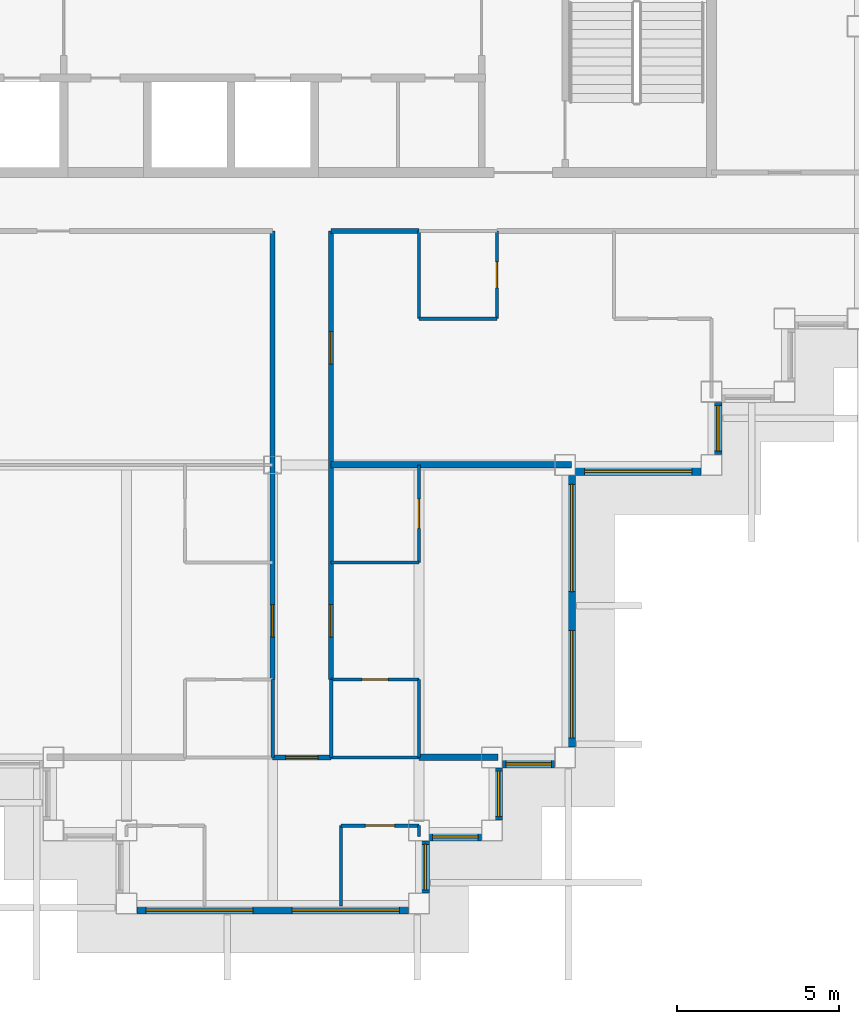
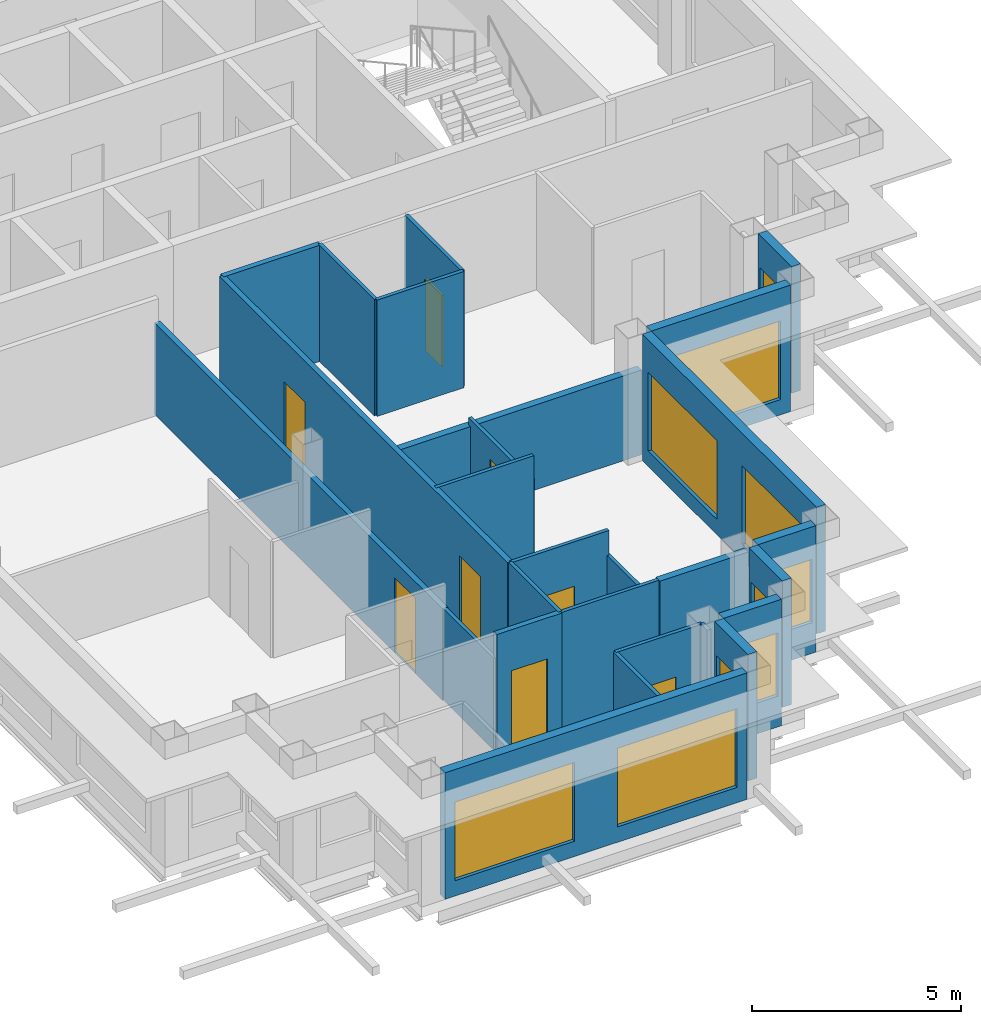
# One storey, part 4 of 12: 27 walls, 10 windows, 8 doors, 18 openings.
"""IFC4 building model written with IfcOpenShell, lengths in metres."""

from ifc_helpers import new_model, si_unit, direction, frame, frame_2d, origin, place, context, subcontext, project, spatial, rectangle, extrude, material, layer, layer_set, type_object, element, fill, save


model = new_model("IFC4")

# Units and contexts
model_context = context("Model", 3, precision=1e-05, world=origin(), true_north=direction((0.0, 1.0)))
body_context = subcontext(model_context, "Body", "Model", "MODEL_VIEW")
ifc_project = project(units=[si_unit("LENGTHUNIT", "METRE"), si_unit("AREAUNIT", "SQUARE_METRE"), si_unit("VOLUMEUNIT", "CUBIC_METRE"), si_unit("PLANEANGLEUNIT", "RADIAN"), si_unit("MASSUNIT", "GRAM", prefix="KILO")], contexts=[model_context])

# Site, building, storey
site_placement = place(None, origin())
site = spatial("IfcSite", under=ifc_project, at=site_placement, CompositionType="ELEMENT")
building_placement = place(site_placement, origin())
building = spatial("IfcBuilding", under=site, at=building_placement, Name="Caravel Reach Hotel and Residences", CompositionType="ELEMENT")
storey_placement = place(building_placement, frame((0.0, 0.0, 218.300048828125)))
storey = spatial("IfcBuildingStorey", under=building, at=storey_placement, Name="L55", CompositionType="ELEMENT", Elevation=218.300048828125)

# Walls
ifc_material_1 = material(Name="Gypsum board on steel stud", Category="steel")
ifc_layer_1 = layer(ifc_material_1, 0.10009765625)
ifc_layer_set_1 = layer_set([ifc_layer_1], Name="Bathroom pod wall 100 mm")
wall_type_1 = type_object("IfcWallType", Name="Bathroom pod wall 100 mm", PredefinedType="PARTITIONING", material=ifc_layer_set_1)
wall_1_placement = place(storey_placement, frame((36.0, 18.0, 0.0), z_axis=(0.0, 0.0, 1.0), x_axis=(1.0, 0.0, 0.0)))
element("IfcWall", 1, at=wall_1_placement, inside=storey, type_object=wall_type_1, Name="L55 wall w076", PredefinedType="PARTITIONING", context=body_context, shape_type="SweptSolid", body=[
    extrude(rectangle(XDim=2.39990234375, YDim=0.10009765625, at=frame_2d((1.199951171875, 0.0))), origin(), (0.0, 0.0, 1.0), 3.39990234375),
])
wall_2_placement = place(storey_placement, frame((33.300048828125, 4.5, 0.0), z_axis=(0.0, 0.0, 1.0), x_axis=(1.0, 0.0, 0.0)))
element("IfcWall", 2, at=wall_2_placement, inside=storey, type_object=wall_type_1, Name="L55 wall w086", PredefinedType="PARTITIONING", context=body_context, shape_type="SweptSolid", body=[
    extrude(rectangle(XDim=2.699951171875, YDim=0.10009765625, at=frame_2d((1.35009765625, 0.0))), origin(), (0.0, 0.0, 1.0), 3.39990234375),
])

# Wall, opening, door
wall_3_placement = place(storey_placement, frame((33.300048828125, 6.89990234375, 0.0), z_axis=(0.0, 0.0, 1.0), x_axis=(1.0, 0.0, 0.0)))
wall_3 = element("IfcWall", 3, at=wall_3_placement, inside=storey, type_object=wall_type_1, Name="L55 wall w088", PredefinedType="PARTITIONING", context=body_context, shape_type="SweptSolid", body=[
    extrude(rectangle(XDim=2.699951171875, YDim=0.10009765625, at=frame_2d((1.35009765625, 0.0))), origin(), (0.0, 0.0, 1.0), 3.39990234375),
])
opening_1_placement = place(wall_3_placement, frame((0.949951171875, 0.0, 0.0)))
opening_1 = element("IfcOpeningElement", 4, at=opening_1_placement, cuts=wall_3, Name="Opening D55-041", PredefinedType="OPENING", context=body_context, shape_type="SweptSolid", body=[
    extrude(rectangle(XDim=0.800048828125, YDim=2.10009765625, at=frame_2d((0.39990234375, 1.050048828125))), frame((0.0, 0.06005859375, 0.0), z_axis=(0.0, -1.0, 0.0), x_axis=(1.0, 0.0, 0.0)), (0.0, 0.0, 1.0), 0.1201171875),
])
ifc_material_2 = material(Name="Timber and steel door leaf", Category="steel")
door_type_1 = type_object("IfcDoorType", Name="Bathroom door 800 x 2100", OperationType="SINGLE_SWING_LEFT", PredefinedType="DOOR", material=ifc_material_2)
door_1_placement = place(opening_1_placement, origin())
door_1 = element("IfcDoor", 5, at=door_1_placement, inside=storey, type_object=door_type_1, Name="door D55-041", OperationType="SINGLE_SWING_RIGHT", OverallHeight=2.10009765625, OverallWidth=0.800048828125, PredefinedType="DOOR", context=body_context, shape_type="SweptSolid", body=[
    extrude(rectangle(XDim=0.800048828125, YDim=2.10009765625, at=frame_2d((0.39990234375, 1.050048828125))), frame((0.0, 0.02490234375, 0.0), z_axis=(0.0, -1.0, 0.0), x_axis=(1.0, 0.0, 0.0)), (0.0, 0.0, 1.0), 0.050048828125),
])
fill(opening_1, door_1)

# Walls
wall_4_placement = place(storey_placement, frame((31.5, 4.5, 0.0), z_axis=(0.0, 0.0, 1.0), x_axis=(0.0, 1.0, 0.0)))
element("IfcWall", 6, at=wall_4_placement, inside=storey, type_object=wall_type_1, Name="L55 wall w096", PredefinedType="PARTITIONING", context=body_context, shape_type="SweptSolid", body=[
    extrude(rectangle(XDim=2.39990234375, YDim=0.10009765625, at=frame_2d((1.199951171875, 0.0))), origin(), (0.0, 0.0, 1.0), 2.679931640625),
])
wall_5_placement = place(storey_placement, frame((33.300048828125, 4.5, 0.0), z_axis=(0.0, 0.0, 1.0), x_axis=(0.0, 1.0, 0.0)))
element("IfcWall", 7, at=wall_5_placement, inside=storey, type_object=wall_type_1, Name="L55 wall w097", PredefinedType="PARTITIONING", context=body_context, shape_type="SweptSolid", body=[
    extrude(rectangle(XDim=2.39990234375, YDim=0.10009765625, at=frame_2d((1.199951171875, 0.0))), origin(), (0.0, 0.0, 1.0), 3.39990234375),
])
wall_6_placement = place(storey_placement, frame((36.0, 4.5, 0.0), z_axis=(0.0, 0.0, 1.0), x_axis=(0.0, 1.0, 0.0)))
element("IfcWall", 8, at=wall_6_placement, inside=storey, type_object=wall_type_1, Name="L55 wall w099", PredefinedType="PARTITIONING", context=body_context, shape_type="SweptSolid", body=[
    extrude(rectangle(XDim=2.39990234375, YDim=0.10009765625, at=frame_2d((1.199951171875, 0.0))), origin(), (0.0, 0.0, 1.0), 2.679931640625),
])
wall_7_placement = place(storey_placement, frame((36.0, 18.0, 0.0), z_axis=(0.0, 0.0, 1.0), x_axis=(0.0, 1.0, 0.0)))
element("IfcWall", 9, at=wall_7_placement, inside=storey, type_object=wall_type_1, Name="L55 wall w100", PredefinedType="PARTITIONING", context=body_context, shape_type="SweptSolid", body=[
    extrude(rectangle(XDim=2.698974609375, YDim=0.10009765625, at=frame_2d((1.349609375, 0.0))), origin(), (0.0, 0.0, 1.0), 3.39990234375),
])

# Wall, opening, door
wall_8_placement = place(storey_placement, frame((38.39990234375, 18.0, 0.0), z_axis=(0.0, 0.0, 1.0), x_axis=(0.0, 1.0, 0.0)))
wall_8 = element("IfcWall", 10, at=wall_8_placement, inside=storey, type_object=wall_type_1, Name="L55 wall w101", PredefinedType="PARTITIONING", context=body_context, shape_type="SweptSolid", body=[
    extrude(rectangle(XDim=2.699951171875, YDim=0.10009765625, at=frame_2d((1.35009765625, 0.0))), origin(), (0.0, 0.0, 1.0), 3.39990234375),
])
opening_2_placement = place(wall_8_placement, frame((0.949951171875, 0.0, 0.0)))
opening_2 = element("IfcOpeningElement", 11, at=opening_2_placement, cuts=wall_8, Name="Opening D55-035", PredefinedType="OPENING", context=body_context, shape_type="SweptSolid", body=[
    extrude(rectangle(XDim=0.800048828125, YDim=2.10009765625, at=frame_2d((0.39990234375, 1.050048828125))), frame((0.0, 0.06005859375, 0.0), z_axis=(0.0, -1.0, 0.0), x_axis=(1.0, 0.0, 0.0)), (0.0, 0.0, 1.0), 0.1201171875),
])
door_2_placement = place(opening_2_placement, origin())
door_2 = element("IfcDoor", 12, at=door_2_placement, inside=storey, type_object=door_type_1, Name="door D55-035", OperationType="SINGLE_SWING_LEFT", OverallHeight=2.10009765625, OverallWidth=0.800048828125, PredefinedType="DOOR", context=body_context, shape_type="SweptSolid", body=[
    extrude(rectangle(XDim=0.800048828125, YDim=2.10009765625, at=frame_2d((0.39990234375, 1.050048828125))), frame((0.0, 0.02490234375, 0.0), z_axis=(0.0, -1.0, 0.0), x_axis=(1.0, 0.0, 0.0)), (0.0, 0.0, 1.0), 0.050048828125),
])
fill(opening_2, door_2)

# Wall
ifc_material_3 = material(Name="Gypsum board on steel stud, fire-rated", Category="steel")
ifc_layer_2 = layer(ifc_material_3, 0.14990234375)
ifc_layer_set_2 = layer_set([ifc_layer_2], Name="Corridor wall 150 mm EI 60")
wall_type_2 = type_object("IfcWallType", Name="Corridor wall 150 mm EI 60", PredefinedType="PARTITIONING", material=ifc_layer_set_2)
wall_9_placement = place(storey_placement, frame((33.301025390625, 20.699951171875, 0.0), z_axis=(0.0, 0.0, 1.0), x_axis=(1.0, 0.0, 0.0)))
element("IfcWall", 13, at=wall_9_placement, inside=storey, type_object=wall_type_2, Name="L55 wall w001", PredefinedType="PARTITIONING", context=body_context, shape_type="SweptSolid", body=[
    extrude(rectangle(XDim=2.697998046875, YDim=0.14990234375, at=frame_2d((1.34912109375, 0.0))), origin(), (0.0, 0.0, 1.0), 3.39990234375),
])

# Wall, opening, door
wall_10_placement = place(storey_placement, frame((31.5, 4.5, 0.0), z_axis=(0.0, 0.0, 1.0), x_axis=(1.0, 0.0, 0.0)))
wall_10 = element("IfcWall", 14, at=wall_10_placement, inside=storey, type_object=wall_type_2, Name="L55 wall w018", PredefinedType="PARTITIONING", context=body_context, shape_type="SweptSolid", body=[
    extrude(rectangle(XDim=1.800048828125, YDim=0.14990234375, at=frame_2d((0.89990234375, 0.0))), origin(), (0.0, 0.0, 1.0), 3.39990234375),
])
opening_3_placement = place(wall_10_placement, frame((0.39990234375, 0.0, 0.0)))
opening_3 = element("IfcOpeningElement", 15, at=opening_3_placement, cuts=wall_10, Name="Opening D55-047", PredefinedType="OPENING", context=body_context, shape_type="SweptSolid", body=[
    extrude(rectangle(XDim=1.0, YDim=2.199951171875, at=frame_2d((0.5, 1.10009765625))), frame((0.0, 0.0849609375, 0.0), z_axis=(0.0, -1.0, 0.0), x_axis=(1.0, 0.0, 0.0)), (0.0, 0.0, 1.0), 0.169921875),
])
ifc_material_4 = material(Name="Steel fire door leaf", Category="steel")
door_type_2 = type_object("IfcDoorType", Name="Flat entrance door 1000 x 2200 EI 60", OperationType="SINGLE_SWING_LEFT", PredefinedType="DOOR", material=ifc_material_4)
door_3_placement = place(opening_3_placement, origin())
door_3 = element("IfcDoor", 16, at=door_3_placement, inside=storey, type_object=door_type_2, Name="door D55-047", OperationType="SINGLE_SWING_LEFT", OverallHeight=2.199951171875, OverallWidth=1.0, PredefinedType="DOOR", context=body_context, shape_type="SweptSolid", body=[
    extrude(rectangle(XDim=1.0, YDim=2.199951171875, at=frame_2d((0.5, 1.10009765625))), frame((0.0, 0.02490234375, 0.0), z_axis=(0.0, -1.0, 0.0), x_axis=(1.0, 0.0, 0.0)), (0.0, 0.0, 1.0), 0.050048828125),
])
fill(opening_3, door_3)

wall_11_placement = place(storey_placement, frame((31.5, 6.89990234375, 0.0), z_axis=(0.0, 0.0, 1.0), x_axis=(0.0, 1.0, 0.0)))
wall_11 = element("IfcWall", 17, at=wall_11_placement, inside=storey, type_object=wall_type_2, Name="L55 wall w021", PredefinedType="PARTITIONING", context=body_context, shape_type="SweptSolid", body=[
    extrude(rectangle(XDim=13.800048828125, YDim=0.14990234375, at=frame_2d((6.89990234375, 0.0))), origin(), (0.0, 0.0, 1.0), 2.679931640625),
])
opening_4_placement = place(wall_11_placement, frame((1.300048828125, 0.0, 0.0)))
opening_4 = element("IfcOpeningElement", 18, at=opening_4_placement, cuts=wall_11, Name="Opening D55-037", PredefinedType="OPENING", context=body_context, shape_type="SweptSolid", body=[
    extrude(rectangle(XDim=1.0, YDim=2.199951171875, at=frame_2d((0.5, 1.10009765625))), frame((0.0, 0.0849609375, 0.0), z_axis=(0.0, -1.0, 0.0), x_axis=(1.0, 0.0, 0.0)), (0.0, 0.0, 1.0), 0.169921875),
])
door_4_placement = place(opening_4_placement, origin())
door_4 = element("IfcDoor", 19, at=door_4_placement, inside=storey, type_object=door_type_2, Name="door D55-037", OperationType="SINGLE_SWING_RIGHT", OverallHeight=2.199951171875, OverallWidth=1.0, PredefinedType="DOOR", context=body_context, shape_type="SweptSolid", body=[
    extrude(rectangle(XDim=1.0, YDim=2.199951171875, at=frame_2d((0.5, 1.10009765625))), frame((0.0, 0.02490234375, 0.0), z_axis=(0.0, -1.0, 0.0), x_axis=(1.0, 0.0, 0.0)), (0.0, 0.0, 1.0), 0.050048828125),
])
fill(opening_4, door_4)

# Wall, openings, doors
wall_12_placement = place(storey_placement, frame((33.300048828125, 6.89990234375, 0.0), z_axis=(0.0, 0.0, 1.0), x_axis=(0.0, 1.0, 0.0)))
wall_12 = element("IfcWall", 20, at=wall_12_placement, inside=storey, type_object=wall_type_2, Name="L55 wall w024", PredefinedType="PARTITIONING", context=body_context, shape_type="SweptSolid", body=[
    extrude(rectangle(XDim=13.799072265625, YDim=0.14990234375, at=frame_2d((6.8994140625, 0.0))), origin(), (0.0, 0.0, 1.0), 3.39990234375),
])
opening_5_placement = place(wall_12_placement, frame((9.69921875, 0.0, 0.0)))
opening_5 = element("IfcOpeningElement", 21, at=opening_5_placement, cuts=wall_12, Name="Opening D55-034", PredefinedType="OPENING", context=body_context, shape_type="SweptSolid", body=[
    extrude(rectangle(XDim=1.0, YDim=2.199951171875, at=frame_2d((0.5, 1.10009765625))), frame((0.0, 0.0849609375, 0.0), z_axis=(0.0, -1.0, 0.0), x_axis=(1.0, 0.0, 0.0)), (0.0, 0.0, 1.0), 0.169921875),
])
opening_6_placement = place(wall_12_placement, frame((1.300048828125, 0.0, 0.0)))
opening_6 = element("IfcOpeningElement", 22, at=opening_6_placement, cuts=wall_12, Name="Opening D55-040", PredefinedType="OPENING", context=body_context, shape_type="SweptSolid", body=[
    extrude(rectangle(XDim=1.0, YDim=2.199951171875, at=frame_2d((0.5, 1.10009765625))), frame((0.0, 0.0849609375, 0.0), z_axis=(0.0, -1.0, 0.0), x_axis=(1.0, 0.0, 0.0)), (0.0, 0.0, 1.0), 0.169921875),
])
door_5_placement = place(opening_5_placement, origin())
door_5 = element("IfcDoor", 23, at=door_5_placement, inside=storey, type_object=door_type_2, Name="door D55-034", OperationType="SINGLE_SWING_RIGHT", OverallHeight=2.199951171875, OverallWidth=1.0, PredefinedType="DOOR", context=body_context, shape_type="SweptSolid", body=[
    extrude(rectangle(XDim=1.0, YDim=2.199951171875, at=frame_2d((0.5, 1.10009765625))), frame((0.0, 0.02490234375, 0.0), z_axis=(0.0, -1.0, 0.0), x_axis=(1.0, 0.0, 0.0)), (0.0, 0.0, 1.0), 0.050048828125),
])
fill(opening_5, door_5)
door_6_placement = place(opening_6_placement, origin())
door_6 = element("IfcDoor", 24, at=door_6_placement, inside=storey, type_object=door_type_2, Name="door D55-040", OperationType="SINGLE_SWING_LEFT", OverallHeight=2.199951171875, OverallWidth=1.0, PredefinedType="DOOR", context=body_context, shape_type="SweptSolid", body=[
    extrude(rectangle(XDim=1.0, YDim=2.199951171875, at=frame_2d((0.5, 1.10009765625))), frame((0.0, 0.02490234375, 0.0), z_axis=(0.0, -1.0, 0.0), x_axis=(1.0, 0.0, 0.0)), (0.0, 0.0, 1.0), 0.050048828125),
])
fill(opening_6, door_6)

# Wall, opening, window
ifc_material_5 = material(Name="Insulated rainscreen wall, aluminium cladding", Category="aluminium")
ifc_layer_3 = layer(ifc_material_5, 0.25)
ifc_layer_set_3 = layer_set([ifc_layer_3], Name="EW1 Tower rainscreen wall")
wall_type_3 = type_object("IfcWallType", Name="EW1 Tower rainscreen wall", PredefinedType="SOLIDWALL", material=ifc_layer_set_3)
wall_13_placement = place(storey_placement, frame((40.824951171875, 13.300048828125, 0.0), z_axis=(0.0, 0.0, 1.0), x_axis=(1.0, 0.0, 0.0)))
wall_13 = element("IfcWall", 25, at=wall_13_placement, inside=storey, type_object=wall_type_3, Name="External wall L55 S1.1", PredefinedType="SOLIDWALL", context=body_context, shape_type="SweptSolid", body=[
    extrude(rectangle(XDim=3.85009765625, YDim=0.25, at=frame_2d((1.925048828125, 0.0))), origin(), (0.0, 0.0, 1.0), 3.699951171875),
])
opening_7_placement = place(wall_13_placement, frame((0.27490234375, 0.0, 0.449951171875)))
opening_7 = element("IfcOpeningElement", 26, at=opening_7_placement, cuts=wall_13, Name="Opening WN15", PredefinedType="OPENING", context=body_context, shape_type="SweptSolid", body=[
    extrude(rectangle(XDim=3.300048828125, YDim=2.300048828125, at=frame_2d((1.64990234375, 1.14990234375))), frame((0.0, 0.135009765625, 0.0), z_axis=(0.0, -1.0, 0.0), x_axis=(1.0, 0.0, 0.0)), (0.0, 0.0, 1.0), 0.27001953125),
])
ifc_material_6 = material(Name="Dark low-e glazing in black aluminium frame", Category="aluminium")
window_type_1 = type_object("IfcWindowType", Name="Residence living window 3300 x 2300", PartitioningType="SINGLE_PANEL", PredefinedType="WINDOW", material=ifc_material_6)
window_1_placement = place(opening_7_placement, origin())
window_1 = element("IfcWindow", 27, at=window_1_placement, inside=storey, type_object=window_type_1, Name="Window L55 S1.1.1", OverallHeight=2.300048828125, OverallWidth=3.300048828125, PartitioningType="SINGLE_PANEL", PredefinedType="WINDOW", context=body_context, shape_type="SweptSolid", body=[
    extrude(rectangle(XDim=3.300048828125, YDim=2.300048828125, at=frame_2d((1.64990234375, 1.14990234375))), frame((0.0, 0.030029296875, 0.0), z_axis=(0.0, -1.0, 0.0), x_axis=(1.0, 0.0, 0.0)), (0.0, 0.0, 1.0), 0.06005859375),
])
fill(opening_7, window_1)

wall_14_placement = place(storey_placement, frame((45.199951171875, 13.824951171875, 0.0), z_axis=(0.0, 0.0, 1.0), x_axis=(0.0, 1.0, 0.0)))
wall_14 = element("IfcWall", 28, at=wall_14_placement, inside=storey, type_object=wall_type_3, Name="External wall L55 E2.1", PredefinedType="SOLIDWALL", context=body_context, shape_type="SweptSolid", body=[
    extrude(rectangle(XDim=1.60009765625, YDim=0.25, at=frame_2d((0.800048828125, 0.0))), origin(), (0.0, 0.0, 1.0), 3.699951171875),
])
opening_8_placement = place(wall_14_placement, frame((0.10009765625, 0.0, 0.89990234375)))
opening_8 = element("IfcOpeningElement", 29, at=opening_8_placement, cuts=wall_14, Name="Opening WN22", PredefinedType="OPENING", context=body_context, shape_type="SweptSolid", body=[
    extrude(rectangle(XDim=1.39990234375, YDim=1.85009765625, at=frame_2d((0.699951171875, 0.925048828125))), frame((0.0, 0.135009765625, 0.0), z_axis=(0.0, -1.0, 0.0), x_axis=(1.0, 0.0, 0.0)), (0.0, 0.0, 1.0), 0.27001953125),
])
ifc_material_7 = material(Name="Dark low-e glazing in black aluminium frame", Category="aluminium")
window_type_2 = type_object("IfcWindowType", Name="Residence bedroom window 1400 x 1850", PartitioningType="SINGLE_PANEL", PredefinedType="WINDOW", material=ifc_material_7)
window_2_placement = place(opening_8_placement, origin())
window_2 = element("IfcWindow", 30, at=window_2_placement, inside=storey, type_object=window_type_2, Name="Window L55 E2.1.1", OverallHeight=1.85009765625, OverallWidth=1.39990234375, PartitioningType="SINGLE_PANEL", PredefinedType="WINDOW", context=body_context, shape_type="SweptSolid", body=[
    extrude(rectangle(XDim=1.39990234375, YDim=1.85009765625, at=frame_2d((0.699951171875, 0.925048828125))), frame((0.0, 0.030029296875, 0.0), z_axis=(0.0, -1.0, 0.0), x_axis=(1.0, 0.0, 0.0)), (0.0, 0.0, 1.0), 0.06005859375),
])
fill(opening_8, window_2)

# Wall, openings, windows
wall_15_placement = place(storey_placement, frame((27.324951171875, -0.199951171875, 0.0), z_axis=(0.0, 0.0, 1.0), x_axis=(1.0, 0.0, 0.0)))
wall_15 = element("IfcWall", 31, at=wall_15_placement, inside=storey, type_object=wall_type_3, Name="External wall L55 S35.1", PredefinedType="SOLIDWALL", context=body_context, shape_type="SweptSolid", body=[
    extrude(rectangle(XDim=8.35009765625, YDim=0.25, at=frame_2d((4.175048828125, 0.0))), origin(), (0.0, 0.0, 1.0), 3.699951171875),
])
opening_9_placement = place(wall_15_placement, frame((0.27490234375, 0.0, 0.449951171875)))
opening_9 = element("IfcOpeningElement", 32, at=opening_9_placement, cuts=wall_15, Name="Opening WN15", PredefinedType="OPENING", context=body_context, shape_type="SweptSolid", body=[
    extrude(rectangle(XDim=3.300048828125, YDim=2.300048828125, at=frame_2d((1.64990234375, 1.14990234375))), frame((0.0, 0.135009765625, 0.0), z_axis=(0.0, -1.0, 0.0), x_axis=(1.0, 0.0, 0.0)), (0.0, 0.0, 1.0), 0.27001953125),
])
opening_10_placement = place(wall_15_placement, frame((4.77490234375, 0.0, 0.449951171875)))
opening_10 = element("IfcOpeningElement", 33, at=opening_10_placement, cuts=wall_15, Name="Opening WN15", PredefinedType="OPENING", context=body_context, shape_type="SweptSolid", body=[
    extrude(rectangle(XDim=3.300048828125, YDim=2.300048828125, at=frame_2d((1.64990234375, 1.14990234375))), frame((0.0, 0.135009765625, 0.0), z_axis=(0.0, -1.0, 0.0), x_axis=(1.0, 0.0, 0.0)), (0.0, 0.0, 1.0), 0.27001953125),
])
window_3_placement = place(opening_9_placement, origin())
window_3 = element("IfcWindow", 34, at=window_3_placement, inside=storey, type_object=window_type_1, Name="Window L55 S35.1.1", OverallHeight=2.300048828125, OverallWidth=3.300048828125, PartitioningType="SINGLE_PANEL", PredefinedType="WINDOW", context=body_context, shape_type="SweptSolid", body=[
    extrude(rectangle(XDim=3.300048828125, YDim=2.300048828125, at=frame_2d((1.64990234375, 1.14990234375))), frame((0.0, 0.030029296875, 0.0), z_axis=(0.0, -1.0, 0.0), x_axis=(1.0, 0.0, 0.0)), (0.0, 0.0, 1.0), 0.06005859375),
])
fill(opening_9, window_3)
window_4_placement = place(opening_10_placement, origin())
window_4 = element("IfcWindow", 35, at=window_4_placement, inside=storey, type_object=window_type_1, Name="Window L55 S35.1.2", OverallHeight=2.300048828125, OverallWidth=3.300048828125, PartitioningType="SINGLE_PANEL", PredefinedType="WINDOW", context=body_context, shape_type="SweptSolid", body=[
    extrude(rectangle(XDim=3.300048828125, YDim=2.300048828125, at=frame_2d((1.64990234375, 1.14990234375))), frame((0.0, 0.030029296875, 0.0), z_axis=(0.0, -1.0, 0.0), x_axis=(1.0, 0.0, 0.0)), (0.0, 0.0, 1.0), 0.06005859375),
])
fill(opening_10, window_4)

# Wall, opening, window
wall_16_placement = place(storey_placement, frame((36.199951171875, 0.324951171875, 0.0), z_axis=(0.0, 0.0, 1.0), x_axis=(0.0, 1.0, 0.0)))
wall_16 = element("IfcWall", 36, at=wall_16_placement, inside=storey, type_object=wall_type_3, Name="External wall L55 E36.1", PredefinedType="SOLIDWALL", context=body_context, shape_type="SweptSolid", body=[
    extrude(rectangle(XDim=1.60009765625, YDim=0.25, at=frame_2d((0.800048828125, 0.0))), origin(), (0.0, 0.0, 1.0), 3.699951171875),
])
opening_11_placement = place(wall_16_placement, frame((0.10009765625, 0.0, 0.89990234375)))
opening_11 = element("IfcOpeningElement", 37, at=opening_11_placement, cuts=wall_16, Name="Opening WN22", PredefinedType="OPENING", context=body_context, shape_type="SweptSolid", body=[
    extrude(rectangle(XDim=1.39990234375, YDim=1.85009765625, at=frame_2d((0.699951171875, 0.925048828125))), frame((0.0, 0.135009765625, 0.0), z_axis=(0.0, -1.0, 0.0), x_axis=(1.0, 0.0, 0.0)), (0.0, 0.0, 1.0), 0.27001953125),
])
window_5_placement = place(opening_11_placement, origin())
window_5 = element("IfcWindow", 38, at=window_5_placement, inside=storey, type_object=window_type_2, Name="Window L55 E36.1.1", OverallHeight=1.85009765625, OverallWidth=1.39990234375, PartitioningType="SINGLE_PANEL", PredefinedType="WINDOW", context=body_context, shape_type="SweptSolid", body=[
    extrude(rectangle(XDim=1.39990234375, YDim=1.85009765625, at=frame_2d((0.699951171875, 0.925048828125))), frame((0.0, 0.030029296875, 0.0), z_axis=(0.0, -1.0, 0.0), x_axis=(1.0, 0.0, 0.0)), (0.0, 0.0, 1.0), 0.06005859375),
])
fill(opening_11, window_5)

wall_17_placement = place(storey_placement, frame((36.324951171875, 2.050048828125, 0.0), z_axis=(0.0, 0.0, 1.0), x_axis=(1.0, 0.0, 0.0)))
wall_17 = element("IfcWall", 39, at=wall_17_placement, inside=storey, type_object=wall_type_3, Name="External wall L55 S37.1", PredefinedType="SOLIDWALL", context=body_context, shape_type="SweptSolid", body=[
    extrude(rectangle(XDim=1.60009765625, YDim=0.25, at=frame_2d((0.800048828125, 0.0))), origin(), (0.0, 0.0, 1.0), 3.699951171875),
])
opening_12_placement = place(wall_17_placement, frame((0.10009765625, 0.0, 0.89990234375)))
opening_12 = element("IfcOpeningElement", 40, at=opening_12_placement, cuts=wall_17, Name="Opening WN22", PredefinedType="OPENING", context=body_context, shape_type="SweptSolid", body=[
    extrude(rectangle(XDim=1.39990234375, YDim=1.85009765625, at=frame_2d((0.699951171875, 0.925048828125))), frame((0.0, 0.135009765625, 0.0), z_axis=(0.0, -1.0, 0.0), x_axis=(1.0, 0.0, 0.0)), (0.0, 0.0, 1.0), 0.27001953125),
])
window_6_placement = place(opening_12_placement, origin())
window_6 = element("IfcWindow", 41, at=window_6_placement, inside=storey, type_object=window_type_2, Name="Window L55 S37.1.1", OverallHeight=1.85009765625, OverallWidth=1.39990234375, PartitioningType="SINGLE_PANEL", PredefinedType="WINDOW", context=body_context, shape_type="SweptSolid", body=[
    extrude(rectangle(XDim=1.39990234375, YDim=1.85009765625, at=frame_2d((0.699951171875, 0.925048828125))), frame((0.0, 0.030029296875, 0.0), z_axis=(0.0, -1.0, 0.0), x_axis=(1.0, 0.0, 0.0)), (0.0, 0.0, 1.0), 0.06005859375),
])
fill(opening_12, window_6)

wall_18_placement = place(storey_placement, frame((38.449951171875, 2.574951171875, 0.0), z_axis=(0.0, 0.0, 1.0), x_axis=(0.0, 1.0, 0.0)))
wall_18 = element("IfcWall", 42, at=wall_18_placement, inside=storey, type_object=wall_type_3, Name="External wall L55 E38.1", PredefinedType="SOLIDWALL", context=body_context, shape_type="SweptSolid", body=[
    extrude(rectangle(XDim=1.60009765625, YDim=0.25, at=frame_2d((0.800048828125, 0.0))), origin(), (0.0, 0.0, 1.0), 3.699951171875),
])
opening_13_placement = place(wall_18_placement, frame((0.10009765625, 0.0, 0.89990234375)))
opening_13 = element("IfcOpeningElement", 43, at=opening_13_placement, cuts=wall_18, Name="Opening WN22", PredefinedType="OPENING", context=body_context, shape_type="SweptSolid", body=[
    extrude(rectangle(XDim=1.39990234375, YDim=1.85009765625, at=frame_2d((0.699951171875, 0.925048828125))), frame((0.0, 0.135009765625, 0.0), z_axis=(0.0, -1.0, 0.0), x_axis=(1.0, 0.0, 0.0)), (0.0, 0.0, 1.0), 0.27001953125),
])
window_7_placement = place(opening_13_placement, origin())
window_7 = element("IfcWindow", 44, at=window_7_placement, inside=storey, type_object=window_type_2, Name="Window L55 E38.1.1", OverallHeight=1.85009765625, OverallWidth=1.39990234375, PartitioningType="SINGLE_PANEL", PredefinedType="WINDOW", context=body_context, shape_type="SweptSolid", body=[
    extrude(rectangle(XDim=1.39990234375, YDim=1.85009765625, at=frame_2d((0.699951171875, 0.925048828125))), frame((0.0, 0.030029296875, 0.0), z_axis=(0.0, -1.0, 0.0), x_axis=(1.0, 0.0, 0.0)), (0.0, 0.0, 1.0), 0.06005859375),
])
fill(opening_13, window_7)

wall_19_placement = place(storey_placement, frame((38.574951171875, 4.300048828125, 0.0), z_axis=(0.0, 0.0, 1.0), x_axis=(1.0, 0.0, 0.0)))
wall_19 = element("IfcWall", 45, at=wall_19_placement, inside=storey, type_object=wall_type_3, Name="External wall L55 S39.1", PredefinedType="SOLIDWALL", context=body_context, shape_type="SweptSolid", body=[
    extrude(rectangle(XDim=1.60009765625, YDim=0.25, at=frame_2d((0.800048828125, 0.0))), origin(), (0.0, 0.0, 1.0), 3.699951171875),
])
opening_14_placement = place(wall_19_placement, frame((0.10009765625, 0.0, 0.89990234375)))
opening_14 = element("IfcOpeningElement", 46, at=opening_14_placement, cuts=wall_19, Name="Opening WN22", PredefinedType="OPENING", context=body_context, shape_type="SweptSolid", body=[
    extrude(rectangle(XDim=1.39990234375, YDim=1.85009765625, at=frame_2d((0.699951171875, 0.925048828125))), frame((0.0, 0.135009765625, 0.0), z_axis=(0.0, -1.0, 0.0), x_axis=(1.0, 0.0, 0.0)), (0.0, 0.0, 1.0), 0.27001953125),
])
window_8_placement = place(opening_14_placement, origin())
window_8 = element("IfcWindow", 47, at=window_8_placement, inside=storey, type_object=window_type_2, Name="Window L55 S39.1.1", OverallHeight=1.85009765625, OverallWidth=1.39990234375, PartitioningType="SINGLE_PANEL", PredefinedType="WINDOW", context=body_context, shape_type="SweptSolid", body=[
    extrude(rectangle(XDim=1.39990234375, YDim=1.85009765625, at=frame_2d((0.699951171875, 0.925048828125))), frame((0.0, 0.030029296875, 0.0), z_axis=(0.0, -1.0, 0.0), x_axis=(1.0, 0.0, 0.0)), (0.0, 0.0, 1.0), 0.06005859375),
])
fill(opening_14, window_8)

# Wall, openings, windows
wall_20_placement = place(storey_placement, frame((40.699951171875, 4.824951171875, 0.0), z_axis=(0.0, 0.0, 1.0), x_axis=(0.0, 1.0, 0.0)))
wall_20 = element("IfcWall", 48, at=wall_20_placement, inside=storey, type_object=wall_type_3, Name="External wall L55 E40.1", PredefinedType="SOLIDWALL", context=body_context, shape_type="SweptSolid", body=[
    extrude(rectangle(XDim=8.35009765625, YDim=0.25, at=frame_2d((4.175048828125, 0.0))), origin(), (0.0, 0.0, 1.0), 3.699951171875),
])
opening_15_placement = place(wall_20_placement, frame((0.27490234375, 0.0, 0.449951171875)))
opening_15 = element("IfcOpeningElement", 49, at=opening_15_placement, cuts=wall_20, Name="Opening WN15", PredefinedType="OPENING", context=body_context, shape_type="SweptSolid", body=[
    extrude(rectangle(XDim=3.300048828125, YDim=2.300048828125, at=frame_2d((1.64990234375, 1.14990234375))), frame((0.0, 0.135009765625, 0.0), z_axis=(0.0, -1.0, 0.0), x_axis=(1.0, 0.0, 0.0)), (0.0, 0.0, 1.0), 0.27001953125),
])
opening_16_placement = place(wall_20_placement, frame((4.77490234375, 0.0, 0.449951171875)))
opening_16 = element("IfcOpeningElement", 50, at=opening_16_placement, cuts=wall_20, Name="Opening WN15", PredefinedType="OPENING", context=body_context, shape_type="SweptSolid", body=[
    extrude(rectangle(XDim=3.300048828125, YDim=2.300048828125, at=frame_2d((1.64990234375, 1.14990234375))), frame((0.0, 0.135009765625, 0.0), z_axis=(0.0, -1.0, 0.0), x_axis=(1.0, 0.0, 0.0)), (0.0, 0.0, 1.0), 0.27001953125),
])
window_9_placement = place(opening_15_placement, origin())
window_9 = element("IfcWindow", 51, at=window_9_placement, inside=storey, type_object=window_type_1, Name="Window L55 E40.1.1", OverallHeight=2.300048828125, OverallWidth=3.300048828125, PartitioningType="SINGLE_PANEL", PredefinedType="WINDOW", context=body_context, shape_type="SweptSolid", body=[
    extrude(rectangle(XDim=3.300048828125, YDim=2.300048828125, at=frame_2d((1.64990234375, 1.14990234375))), frame((0.0, 0.030029296875, 0.0), z_axis=(0.0, -1.0, 0.0), x_axis=(1.0, 0.0, 0.0)), (0.0, 0.0, 1.0), 0.06005859375),
])
fill(opening_15, window_9)
window_10_placement = place(opening_16_placement, origin())
window_10 = element("IfcWindow", 52, at=window_10_placement, inside=storey, type_object=window_type_1, Name="Window L55 E40.1.2", OverallHeight=2.300048828125, OverallWidth=3.300048828125, PartitioningType="SINGLE_PANEL", PredefinedType="WINDOW", context=body_context, shape_type="SweptSolid", body=[
    extrude(rectangle(XDim=3.300048828125, YDim=2.300048828125, at=frame_2d((1.64990234375, 1.14990234375))), frame((0.0, 0.030029296875, 0.0), z_axis=(0.0, -1.0, 0.0), x_axis=(1.0, 0.0, 0.0)), (0.0, 0.0, 1.0), 0.06005859375),
])
fill(opening_16, window_10)

# Wall
ifc_material_8 = material(Name="Gypsum board on steel stud", Category="steel")
ifc_layer_4 = layer(ifc_material_8, 0.10009765625)
ifc_layer_set_4 = layer_set([ifc_layer_4], Name="Partition 100 mm")
wall_type_4 = type_object("IfcWallType", Name="Partition 100 mm", PredefinedType="PARTITIONING", material=ifc_layer_set_4)
wall_21_placement = place(storey_placement, frame((33.300048828125, 10.5, 0.0), z_axis=(0.0, 0.0, 1.0), x_axis=(1.0, 0.0, 0.0)))
element("IfcWall", 53, at=wall_21_placement, inside=storey, type_object=wall_type_4, Name="L55 wall w029", PredefinedType="PARTITIONING", context=body_context, shape_type="SweptSolid", body=[
    extrude(rectangle(XDim=2.699951171875, YDim=0.10009765625, at=frame_2d((1.35009765625, 0.0))), origin(), (0.0, 0.0, 1.0), 3.39990234375),
])

# Wall, opening, door
wall_22_placement = place(storey_placement, frame((33.60009765625, 2.39990234375, 0.0), z_axis=(0.0, 0.0, 1.0), x_axis=(1.0, 0.0, 0.0)))
wall_22 = element("IfcWall", 54, at=wall_22_placement, inside=storey, type_object=wall_type_4, Name="L55 wall w034", PredefinedType="PARTITIONING", context=body_context, shape_type="SweptSolid", body=[
    extrude(rectangle(XDim=2.39990234375, YDim=0.10009765625, at=frame_2d((1.199951171875, 0.0))), origin(), (0.0, 0.0, 1.0), 3.39990234375),
])
opening_17_placement = place(wall_22_placement, frame((0.75, 0.0, 0.0)))
opening_17 = element("IfcOpeningElement", 55, at=opening_17_placement, cuts=wall_22, Name="Opening D55-049", PredefinedType="OPENING", context=body_context, shape_type="SweptSolid", body=[
    extrude(rectangle(XDim=0.89990234375, YDim=2.10009765625, at=frame_2d((0.449951171875, 1.050048828125))), frame((0.0, 0.06005859375, 0.0), z_axis=(0.0, -1.0, 0.0), x_axis=(1.0, 0.0, 0.0)), (0.0, 0.0, 1.0), 0.1201171875),
])
ifc_material_9 = material(Name="Timber and steel door leaf", Category="steel")
door_type_3 = type_object("IfcDoorType", Name="Door 900 x 2100 timber", OperationType="SINGLE_SWING_LEFT", PredefinedType="DOOR", material=ifc_material_9)
door_7_placement = place(opening_17_placement, origin())
door_7 = element("IfcDoor", 56, at=door_7_placement, inside=storey, type_object=door_type_3, Name="door D55-049", OperationType="SINGLE_SWING_LEFT", OverallHeight=2.10009765625, OverallWidth=0.89990234375, PredefinedType="DOOR", context=body_context, shape_type="SweptSolid", body=[
    extrude(rectangle(XDim=0.89990234375, YDim=2.10009765625, at=frame_2d((0.449951171875, 1.050048828125))), frame((0.0, 0.02490234375, 0.0), z_axis=(0.0, -1.0, 0.0), x_axis=(1.0, 0.0, 0.0)), (0.0, 0.0, 1.0), 0.050048828125),
])
fill(opening_17, door_7)

# Wall
wall_23_placement = place(storey_placement, frame((33.60009765625, -0.074951171875, 0.0), z_axis=(0.0, 0.0, 1.0), x_axis=(0.0, 1.0, 0.0)))
element("IfcWall", 57, at=wall_23_placement, inside=storey, type_object=wall_type_4, Name="L55 wall w056", PredefinedType="PARTITIONING", context=body_context, shape_type="SweptSolid", body=[
    extrude(rectangle(XDim=2.474853515625, YDim=0.10009765625, at=frame_2d((1.2373046875, 0.0))), origin(), (0.0, 0.0, 1.0), 3.39990234375),
])

# Wall, opening, door
wall_24_placement = place(storey_placement, frame((36.0, 10.5, 0.0), z_axis=(0.0, 0.0, 1.0), x_axis=(0.0, 1.0, 0.0)))
wall_24 = element("IfcWall", 58, at=wall_24_placement, inside=storey, type_object=wall_type_4, Name="L55 wall w058", PredefinedType="PARTITIONING", context=body_context, shape_type="SweptSolid", body=[
    extrude(rectangle(XDim=3.0, YDim=0.10009765625, at=frame_2d((1.5, 0.0))), origin(), (0.0, 0.0, 1.0), 2.679931640625),
])
opening_18_placement = place(wall_24_placement, frame((1.050048828125, 0.0, 0.0)))
opening_18 = element("IfcOpeningElement", 59, at=opening_18_placement, cuts=wall_24, Name="Opening D55-042", PredefinedType="OPENING", context=body_context, shape_type="SweptSolid", body=[
    extrude(rectangle(XDim=0.89990234375, YDim=2.10009765625, at=frame_2d((0.449951171875, 1.050048828125))), frame((0.0, 0.06005859375, 0.0), z_axis=(0.0, -1.0, 0.0), x_axis=(1.0, 0.0, 0.0)), (0.0, 0.0, 1.0), 0.1201171875),
])
door_8_placement = place(opening_18_placement, origin())
door_8 = element("IfcDoor", 60, at=door_8_placement, inside=storey, type_object=door_type_3, Name="door D55-042", OperationType="SINGLE_SWING_RIGHT", OverallHeight=2.10009765625, OverallWidth=0.89990234375, PredefinedType="DOOR", context=body_context, shape_type="SweptSolid", body=[
    extrude(rectangle(XDim=0.89990234375, YDim=2.10009765625, at=frame_2d((0.449951171875, 1.050048828125))), frame((0.0, 0.02490234375, 0.0), z_axis=(0.0, -1.0, 0.0), x_axis=(1.0, 0.0, 0.0)), (0.0, 0.0, 1.0), 0.050048828125),
])
fill(opening_18, door_8)

# Walls
wall_25_placement = place(storey_placement, frame((36.0, 2.06005859375, 0.0), z_axis=(0.0, 0.0, 1.0), x_axis=(0.0, 1.0, 0.0)))
element("IfcWall", 61, at=wall_25_placement, inside=storey, type_object=wall_type_4, Name="L55 wall w059", PredefinedType="PARTITIONING", context=body_context, shape_type="SweptSolid", body=[
    extrude(rectangle(XDim=0.33984375, YDim=0.10009765625, at=frame_2d((0.169921875, 0.0))), origin(), (0.0, 0.0, 1.0), 3.39990234375),
])
ifc_material_10 = material(Name="Autoclaved aerated block wall")
ifc_layer_5 = layer(ifc_material_10, 0.199951171875)
ifc_layer_set_5 = layer_set([ifc_layer_5], Name="Party wall 200 mm EI 60")
wall_type_5 = type_object("IfcWallType", Name="Party wall 200 mm EI 60", PredefinedType="PARTITIONING", material=ifc_layer_set_5)
wall_26_placement = place(storey_placement, frame((33.301025390625, 13.5, 0.0), z_axis=(0.0, 0.0, 1.0), x_axis=(1.0, 0.0, 0.0)))
element("IfcWall", 62, at=wall_26_placement, inside=storey, type_object=wall_type_5, Name="L55 wall w069", PredefinedType="PARTITIONING", context=body_context, shape_type="SweptSolid", body=[
    extrude(rectangle(XDim=7.388916015625, YDim=0.199951171875, at=frame_2d((3.6943359375, 0.0))), origin(), (0.0, 0.0, 1.0), 2.47998046875),
])
wall_27_placement = place(storey_placement, frame((36.0, 4.5, 0.0), z_axis=(0.0, 0.0, 1.0), x_axis=(1.0, 0.0, 0.0)))
element("IfcWall", 63, at=wall_27_placement, inside=storey, type_object=wall_type_5, Name="L55 wall w070", PredefinedType="PARTITIONING", context=body_context, shape_type="SweptSolid", body=[
    extrude(rectangle(XDim=2.43994140625, YDim=0.199951171875, at=frame_2d((1.219970703125, 0.0))), origin(), (0.0, 0.0, 1.0), 3.39990234375),
])

save(model, "model.ifc")
